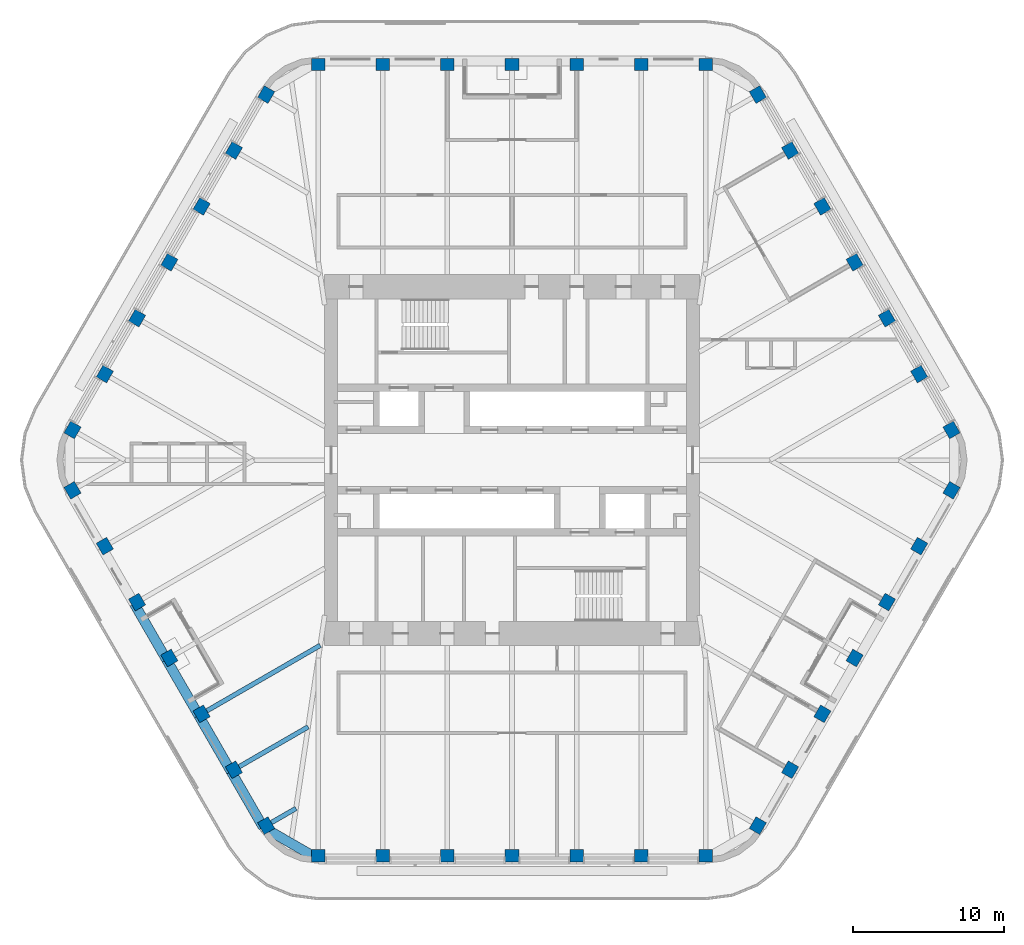
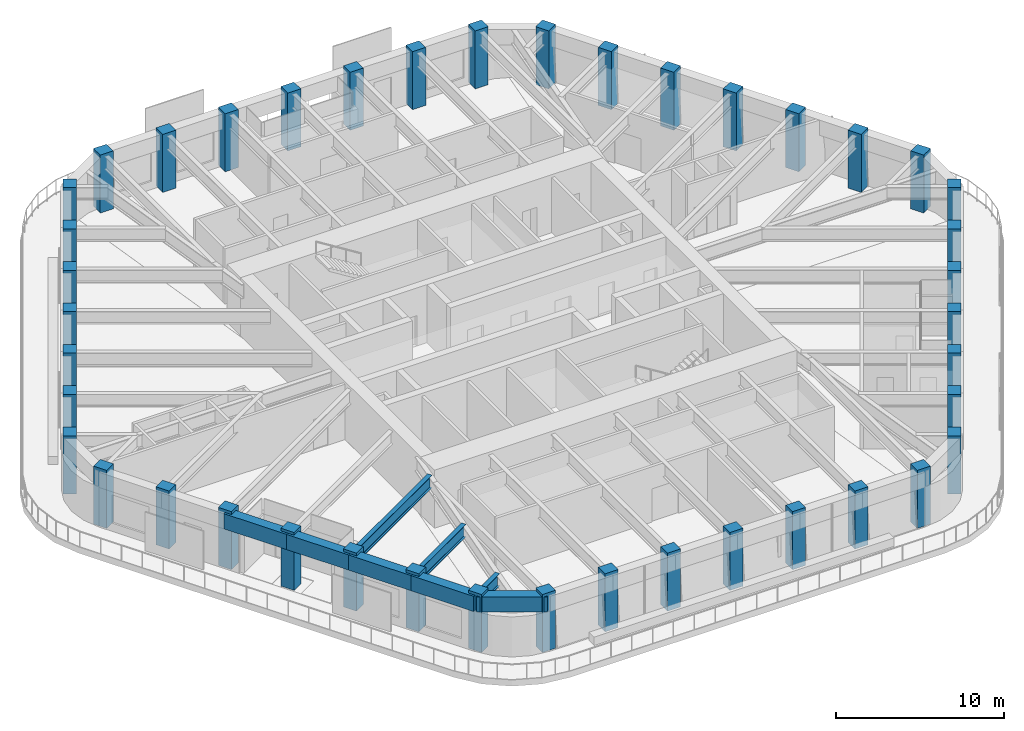
# One storey, part 1 of 19: 42 columns, 8 beams.
"""IFC4 building model written with IfcOpenShell, lengths in metres."""

import ifcopenshell
import ifcopenshell.guid

model = None  # the IFC model being written
_history = None  # IfcOwnerHistory: only IFC2X3 demands one
_inside = {}  # id of a spatial element -> (the spatial element, [elements in it])
_under = {}  # id of a project, library or spatial element -> (it, [spatial elements below it])
_declared = {}  # id of a project -> (the project, [libraries it declares])
_typed = {}  # id of a type object -> (the type object, [elements of that type])
_made_of = {}  # id of a material, layer set ... -> (it, [elements and type objects made of it])


def new_model(schema):
    """Start an empty IFC model of exactly this schema.

    Asked for "IFC4X3", IfcOpenShell would pick the latest addendum, in which some entities
    have other attributes; the version numbers below select the first issue.
    IFC2X3 requires an IfcOwnerHistory on every rooted entity: one is made here for all.
    """
    global model, _history
    if schema == "IFC4X3":
        model = ifcopenshell.file(schema_version=(4, 3, 0, 0))
    else:
        model = ifcopenshell.file(schema=schema)
    _inside.clear()
    _under.clear()
    _declared.clear()
    _typed.clear()
    _made_of.clear()
    _history = None
    if model.schema == "IFC2X3":
        org = make("IfcOrganization", Name="unknown")
        user = make(
            "IfcPersonAndOrganization",
            ThePerson=make("IfcPerson", FamilyName="unknown"),
            TheOrganization=org,
        )
        app = make(
            "IfcApplication",
            ApplicationDeveloper=org,
            Version="unknown",
            ApplicationFullName="unknown",
            ApplicationIdentifier="unknown",
        )
        _history = make(
            "IfcOwnerHistory",
            OwningUser=user,
            OwningApplication=app,
            ChangeAction="ADDED",
            CreationDate=0,
        )
    return model


def make(cls, **values):
    """One entity of the class cls with the attributes given. An attribute that is None is left unset."""
    return model.create_entity(
        cls, **{name: value for name, value in values.items() if value is not None}
    )


def rooted(cls, **values):
    """An entity with a GlobalId (a new one), such as an element, a storey or a relation."""
    return make(cls, GlobalId=ifcopenshell.guid.new(), OwnerHistory=_history, **values)


def si_unit(unit_type, name, prefix=None):
    """IfcSIUnit, for example si_unit("LENGTHUNIT", "METRE", prefix="MILLI")."""
    return make("IfcSIUnit", UnitType=unit_type, Prefix=prefix, Name=name)


def assignment(units):
    """IfcUnitAssignment: the units of a project."""
    return None if units is None else make("IfcUnitAssignment", Units=units)


def point(xyz):
    """IfcCartesianPoint."""
    return None if xyz is None else make("IfcCartesianPoint", Coordinates=xyz)


def direction(xyz):
    """IfcDirection."""
    return None if xyz is None else make("IfcDirection", DirectionRatios=xyz)


def frame(location, z_axis=None, x_axis=None):
    """IfcAxis2Placement3D, a coordinate frame: its origin and axes. An axis left out is left unset."""
    return make(
        "IfcAxis2Placement3D",
        Location=point(location),
        Axis=direction(z_axis),
        RefDirection=direction(x_axis),
    )


def frame_2d(location, x_axis=None):
    """IfcAxis2Placement2D, a coordinate frame in the plane: its origin and x axis."""
    return make(
        "IfcAxis2Placement2D", Location=point(location), RefDirection=direction(x_axis)
    )


def origin():
    """The frame at (0, 0, 0) with its axes left unset."""
    return frame((0.0, 0.0, 0.0))


def origin_2d():
    """The frame at (0, 0) in the plane with its x axis left unset."""
    return frame_2d((0.0, 0.0))


def place(relative_to, where):
    """IfcLocalPlacement: puts the frame where relative to a parent placement (None: the world)."""
    return make(
        "IfcLocalPlacement", PlacementRelTo=relative_to, RelativePlacement=where
    )


def context(
    kind, dimensions, precision=None, world=None, true_north=None, identifier=None
):
    """IfcGeometricRepresentationContext, for example the 3D "Model" context."""
    return make(
        "IfcGeometricRepresentationContext",
        ContextIdentifier=identifier,
        ContextType=kind,
        CoordinateSpaceDimension=dimensions,
        Precision=precision,
        WorldCoordinateSystem=world,
        TrueNorth=true_north,
    )


def subcontext(parent, identifier, kind, view, scale=None):
    """IfcGeometricRepresentationSubContext, for example "Body" below "Model"."""
    return make(
        "IfcGeometricRepresentationSubContext",
        ContextIdentifier=identifier,
        ContextType=kind,
        ParentContext=parent,
        TargetScale=scale,
        TargetView=view,
    )


def project(units=None, contexts=None):
    """IfcProject with its units and contexts."""
    return rooted(
        "IfcProject",
        Name="project",
        RepresentationContexts=contexts,
        UnitsInContext=assignment(units),
    )


def spatial(cls, under=None, at=None, **own):
    """A site, building, storey or space (cls), placed at a placement, below another one or the project."""
    s = rooted(cls, ObjectPlacement=at, **own)
    if under is not None:
        _under.setdefault(under.id(), (under, []))[1].append(s)
    return s


def profile(cls, at=None, kind="AREA", **sizes):
    """A parametric profile (cls). Its sizes go by their IFC names, for example OverallWidth=200.0."""
    return make(cls, ProfileType=kind, Position=at, **sizes)


def rectangle(**sizes):
    """IfcRectangleProfileDef."""
    return profile("IfcRectangleProfileDef", **sizes)


def i_section(**sizes):
    """IfcIShapeProfileDef."""
    return profile("IfcIShapeProfileDef", **sizes)


def extrude(swept, where, along, depth):
    """IfcExtrudedAreaSolid: the profile swept, set in the frame where, extruded along a direction by depth."""
    return make(
        "IfcExtrudedAreaSolid",
        SweptArea=swept,
        Position=where,
        ExtrudedDirection=direction(along),
        Depth=depth,
    )


def shape(context_of_items, identifier, shape_type, items):
    """IfcShapeRepresentation: the items that make up one representation, for example the "Body"."""
    return make(
        "IfcShapeRepresentation",
        ContextOfItems=context_of_items,
        RepresentationIdentifier=identifier,
        RepresentationType=shape_type,
        Items=items,
    )


def material(Name=None, Category=None):
    """IfcMaterial."""
    return make("IfcMaterial", Name=Name, Category=Category)


def material_profile(
    of_material, cross_section, Name=None, Category=None, Priority=None
):
    """IfcMaterialProfile: a cross section and its material."""
    return make(
        "IfcMaterialProfile",
        Name=Name,
        Material=of_material,
        Profile=cross_section,
        Priority=Priority,
        Category=Category,
    )


def profile_set(profiles, Name=None, composite=None):
    """IfcMaterialProfileSet."""
    return make(
        "IfcMaterialProfileSet",
        Name=Name,
        MaterialProfiles=profiles,
        CompositeProfile=composite,
    )


def made_of(thing, what):
    """Note that an element or type object is made of a material, layer set ...; save() writes the relation."""
    if what is not None:
        _made_of.setdefault(what.id(), (what, []))[1].append(thing)
    return thing


def type_object(cls, material=None, **own):
    """A type object (cls), such as IfcWallType, which elements share."""
    return made_of(rooted(cls, **own), material)


def element(
    cls,
    number,
    at=None,
    inside=None,
    cuts=None,
    type_object=None,
    material=None,
    context=None,
    identifier="Body",
    shape_type=None,
    held_by="IfcProductDefinitionShape",
    body=None,
    shapes=None,
    **own,
):
    """One element of the class cls, such as IfcWall. Its Tag is "e" and its number.

    at: its placement. inside: the storey or other place that contains it. cuts: it is an
    opening in that element (IfcRelVoidsElement). A single representation is given by context,
    identifier, shape_type and body (its items); several are given by shapes. held_by: the class
    of the entity that holds the representations. save() writes the other relations.
    """
    e = rooted(cls, Tag="e%d" % number, ObjectPlacement=at, **own)
    if body is not None:
        shapes = [shape(context, identifier, shape_type, body)]
    if shapes is not None:
        e.Representation = make(held_by, Representations=shapes)
    if inside is not None:
        _inside.setdefault(inside.id(), (inside, []))[1].append(e)
    if cuts is not None:
        rooted(
            "IfcRelVoidsElement", RelatingBuildingElement=cuts, RelatedOpeningElement=e
        )
    if type_object is not None:
        _typed.setdefault(type_object.id(), (type_object, []))[1].append(e)
    return made_of(e, material)


def aggregate(whole, parts):
    """IfcRelAggregates: a whole, such as a stair, and the parts it consists of."""
    return rooted("IfcRelAggregates", RelatingObject=whole, RelatedObjects=parts)


def save(model, path):
    """Write the relations noted so far, then the file.

    IfcRelAggregates (storeys below a building ...), IfcRelContainedInSpatialStructure (elements
    in a storey), IfcRelDefinesByType, IfcRelAssociatesMaterial and IfcRelDeclares: one each for
    every whole, place, type object, material and project.
    """
    for whole, parts in _under.values():
        aggregate(whole, parts)
    for where, things in _inside.values():
        rooted(
            "IfcRelContainedInSpatialStructure",
            RelatedElements=things,
            RelatingStructure=where,
        )
    for kind, things in _typed.values():
        rooted("IfcRelDefinesByType", RelatedObjects=things, RelatingType=kind)
    for what, things in _made_of.values():
        rooted("IfcRelAssociatesMaterial", RelatedObjects=things, RelatingMaterial=what)
    for by, libraries in _declared.values():
        rooted("IfcRelDeclares", RelatingContext=by, RelatedDefinitions=libraries)
    model.write(path)


model = new_model("IFC4")

# Units and contexts
model_context = context("Model", 3, precision=1e-05, world=origin(), true_north=direction((0.0, 1.0)))
body_context = subcontext(model_context, "Body", "Model", "MODEL_VIEW")
ifc_project = project(units=[si_unit("LENGTHUNIT", "METRE"), si_unit("AREAUNIT", "SQUARE_METRE"), si_unit("VOLUMEUNIT", "CUBIC_METRE"), si_unit("PLANEANGLEUNIT", "RADIAN"), si_unit("MASSUNIT", "GRAM", prefix="KILO")], contexts=[model_context])

# Site, building, storey
site_placement = place(None, origin())
site = spatial("IfcSite", under=ifc_project, at=site_placement, CompositionType="ELEMENT")
building_placement = place(site_placement, origin())
building = spatial("IfcBuilding", under=site, at=building_placement, Name="Tarfa Lantern Tower", CompositionType="ELEMENT")
storey_placement = place(building_placement, frame((0.0, 0.0, 361.89990234375)))
storey = spatial("IfcBuildingStorey", under=building, at=storey_placement, Name="L82", CompositionType="ELEMENT", Elevation=361.89990234375)

# Columns
ifc_material_1 = material(Name="Concrete C80/95", Category="concrete")
ifc_material_profile_1 = material_profile(ifc_material_1, rectangle(XDim=0.89990234375, YDim=0.800048828125, at=origin_2d()), Name="RC 900x800")
ifc_profile_set_1 = profile_set([ifc_material_profile_1], Name="Concrete C80/95")
column_type = type_object("IfcColumnType", Name="TC15 RC 900x800", PredefinedType="COLUMN", material=ifc_profile_set_1)
for number, where, z_axis, x_axis, name in (
    (1, (29.15625, 2.0, 0.0), (0.0, 0.0, 1.0), (-0.5, 0.866025403784, 0.0), "Tube column NE0"),
    (2, (27.01513671875, 5.708251953125, 0.0), (0.0, 0.0, 1.0), (-0.5, 0.866025403784, 0.0), "Tube column NE1"),
    (3, (24.874267578125, 9.416748046875, 0.0), (0.0, 0.0, 1.0), (-0.5, 0.866025403784, 0.0), "Tube column NE2"),
    (4, (22.733154296875, 13.125, 0.0), (0.0, 0.0, 1.0), (-0.5, 0.866025403784, 0.0), "Tube column NE3"),
    (5, (20.592041015625, 16.833251953125, 0.0), (0.0, 0.0, 1.0), (-0.5, 0.866025403784, 0.0), "Tube column NE4"),
    (6, (18.451171875, 20.541748046875, 0.0), (0.0, 0.0, 1.0), (-0.5, 0.866025403784, 0.0), "Tube column NE5"),
    (7, (16.31005859375, 24.25, 0.0), (0.0, 0.0, 1.0), (-0.5, 0.866025403784, 0.0), "Tube column NE6"),
    (8, (12.845947265625, 26.25, 0.0), (0.0, 0.0, 1.0), (-1.0, 0.0, 0.0), "Tube column N0"),
    (9, (8.56396484375, 26.25, 0.0), (0.0, 0.0, 1.0), (-1.0, 0.0, 0.0), "Tube column N1"),
    (10, (4.281982421875, 26.25, 0.0), (0.0, 0.0, 1.0), (-1.0, 0.0, 0.0), "Tube column N2"),
    (11, (0.0, 26.25, 0.0), (0.0, 0.0, 1.0), (-1.0, 0.0, 0.0), "Tube column N3"),
    (12, (-4.281982421875, 26.25, 0.0), (0.0, 0.0, 1.0), (-1.0, 0.0, 0.0), "Tube column N4"),
    (13, (-8.56396484375, 26.25, 0.0), (0.0, 0.0, 1.0), (-1.0, 0.0, 0.0), "Tube column N5"),
    (14, (-12.845947265625, 26.25, 0.0), (0.0, 0.0, 1.0), (-1.0, 0.0, 0.0), "Tube column N6"),
    (15, (-16.31005859375, 24.25, 0.0), (0.0, 0.0, 1.0), (-0.5, -0.866025403784, 0.0), "Tube column NW0"),
    (16, (-18.451171875, 20.541748046875, 0.0), (0.0, 0.0, 1.0), (-0.5, -0.866025403784, 0.0), "Tube column NW1"),
    (17, (-20.592041015625, 16.833251953125, 0.0), (0.0, 0.0, 1.0), (-0.5, -0.866025403784, 0.0), "Tube column NW2"),
    (18, (-22.733154296875, 13.125, 0.0), (0.0, 0.0, 1.0), (-0.5, -0.866025403784, 0.0), "Tube column NW3"),
    (19, (-24.874267578125, 9.416748046875, 0.0), (0.0, 0.0, 1.0), (-0.5, -0.866025403784, 0.0), "Tube column NW4"),
    (20, (-27.01513671875, 5.708251953125, 0.0), (0.0, 0.0, 1.0), (-0.5, -0.866025403784, 0.0), "Tube column NW5"),
    (21, (-29.15625, 2.0, 0.0), (0.0, 0.0, 1.0), (-0.5, -0.866025403784, 0.0), "Tube column NW6"),
    (22, (-29.15625, -2.0, 0.0), (0.0, 0.0, 1.0), (0.5, -0.866025403784, 0.0), "Tube column SW0"),
    (23, (-27.01513671875, -5.708251953125, 0.0), (0.0, 0.0, 1.0), (0.5, -0.866025403784, 0.0), "Tube column SW1"),
    (24, (-24.874267578125, -9.416748046875, 0.0), (0.0, 0.0, 1.0), (0.5, -0.866025403784, 0.0), "Tube column SW2"),
    (25, (-22.733154296875, -13.125, 0.0), (0.0, 0.0, 1.0), (0.5, -0.866025403784, 0.0), "Tube column SW3"),
    (26, (-20.592041015625, -16.833251953125, 0.0), (0.0, 0.0, 1.0), (0.5, -0.866025403784, 0.0), "Tube column SW4"),
    (27, (-18.451171875, -20.541748046875, 0.0), (0.0, 0.0, 1.0), (0.5, -0.866025403784, 0.0), "Tube column SW5"),
    (28, (-16.31005859375, -24.25, 0.0), (0.0, 0.0, 1.0), (0.5, -0.866025403784, 0.0), "Tube column SW6"),
    (29, (-12.845947265625, -26.25, 0.0), (0.0, 0.0, 1.0), (1.0, 0.0, 0.0), "Tube column S0"),
    (30, (-8.56396484375, -26.25, 0.0), (0.0, 0.0, 1.0), (1.0, 0.0, 0.0), "Tube column S1"),
    (31, (-4.281982421875, -26.25, 0.0), (0.0, 0.0, 1.0), (1.0, 0.0, 0.0), "Tube column S2"),
    (32, (0.0, -26.25, 0.0), (0.0, 0.0, 1.0), (1.0, 0.0, 0.0), "Tube column S3"),
    (33, (4.281982421875, -26.25, 0.0), (0.0, 0.0, 1.0), (1.0, 0.0, 0.0), "Tube column S4"),
    (34, (8.56396484375, -26.25, 0.0), (0.0, 0.0, 1.0), (1.0, 0.0, 0.0), "Tube column S5"),
    (35, (12.845947265625, -26.25, 0.0), (0.0, 0.0, 1.0), (1.0, 0.0, 0.0), "Tube column S6"),
    (36, (16.31005859375, -24.25, 0.0), (0.0, 0.0, 1.0), (0.5, 0.866025403784, 0.0), "Tube column SE0"),
    (37, (18.451171875, -20.541748046875, 0.0), (0.0, 0.0, 1.0), (0.5, 0.866025403784, 0.0), "Tube column SE1"),
    (38, (20.592041015625, -16.833251953125, 0.0), (0.0, 0.0, 1.0), (0.5, 0.866025403784, 0.0), "Tube column SE2"),
    (39, (22.733154296875, -13.125, 0.0), (0.0, 0.0, 1.0), (0.5, 0.866025403784, 0.0), "Tube column SE3"),
    (40, (24.874267578125, -9.416748046875, 0.0), (0.0, 0.0, 1.0), (0.5, 0.866025403784, 0.0), "Tube column SE4"),
    (41, (27.01513671875, -5.708251953125, 0.0), (0.0, 0.0, 1.0), (0.5, 0.866025403784, 0.0), "Tube column SE5"),
    (42, (29.15625, -2.0, 0.0), (0.0, 0.0, 1.0), (0.5, 0.866025403784, 0.0), "Tube column SE6"),
):
    element("IfcColumn", number, at=place(storey_placement, frame(where, z_axis=z_axis, x_axis=x_axis)), inside=storey, type_object=column_type, Name=name, PredefinedType="COLUMN", context=body_context, shape_type="SweptSolid", body=[
        extrude(rectangle(XDim=0.89990234375, YDim=0.800048828125, at=origin_2d()), origin(), (0.0, 0.0, 1.0), 4.2001953125),
    ])

# Beams
ifc_material_profile_2 = material_profile(ifc_material_1, rectangle(XDim=0.64990234375, YDim=1.10009765625, at=origin_2d()), Name="RC 650x1100")
ifc_profile_set_2 = profile_set([ifc_material_profile_2], Name="Concrete C80/95")
beam_type_1 = type_object("IfcBeamType", Name="EB4 RC 650x1100", PredefinedType="SPANDREL", material=ifc_profile_set_2)
beam_1_placement = place(storey_placement, frame((-25.064697265625, -9.526611328125, 3.4501953125), z_axis=(0.500002112793, -0.866024183959, 0.0), x_axis=(0.866024183959, 0.500002112793, 0.0)))
element("IfcBeam", 43, at=beam_1_placement, inside=storey, type_object=beam_type_1, Name="Edge beam SW2", PredefinedType="SPANDREL", context=body_context, shape_type="SweptSolid", body=[
    extrude(rectangle(XDim=0.64990234375, YDim=1.10009765625, at=origin_2d()), origin(), (0.0, 0.0, 1.0), 4.2822265625),
])
for number, where, z_axis, x_axis, name in (
    (44, (-22.923583984375, -13.235107421875, 3.4501953125), (0.499984039138, -0.866034618596, 0.0), (0.866034618596, 0.499984039138, 0.0), "Edge beam SW3"),
    (45, (-20.78271484375, -16.943359375, 3.4501953125), (0.500026801138, -0.866009929587, 0.0), (0.866009929587, 0.500026801138, 0.0), "Edge beam SW4"),
    (46, (-18.6416015625, -20.651611328125, 3.4501953125), (0.499959351497, -0.866048870937, 0.0), (0.866048870937, 0.499959351497, 0.0), "Edge beam SW5"),
):
    element("IfcBeam", number, at=place(storey_placement, frame(where, z_axis=z_axis, x_axis=x_axis)), inside=storey, type_object=beam_type_1, Name=name, PredefinedType="SPANDREL", context=body_context, shape_type="SweptSolid", body=[
        extrude(rectangle(XDim=0.64990234375, YDim=1.10009765625, at=origin_2d()), origin(), (0.0, 0.0, 1.0), 4.281982421875),
    ])
beam_2_placement = place(storey_placement, frame((-16.500732421875, -24.360107421875, 3.4501953125), z_axis=(0.866048788483, -0.499959494327, 0.0), x_axis=(0.499959494327, 0.866048788483, 0.0)))
element("IfcBeam", 47, at=beam_2_placement, inside=storey, type_object=beam_type_1, Name="Edge beam SW6", PredefinedType="SPANDREL", context=body_context, shape_type="SweptSolid", body=[
    extrude(rectangle(XDim=0.64990234375, YDim=1.10009765625, at=origin_2d()), origin(), (0.0, 0.0, 1.0), 4.219970703125),
])
ifc_material_2 = material(Name="Steel S460M", Category="steel")
ifc_material_profile_3 = material_profile(ifc_material_2, i_section(OverallWidth=0.305419921875, OverallDepth=0.91845703125, WebThickness=0.017333984375, FlangeThickness=0.02783203125, FilletRadius=0.01904296875, at=origin_2d()), Name="UB914x305x253")
ifc_profile_set_3 = profile_set([ifc_material_profile_3], Name="Steel S460M")
beam_type_2 = type_object("IfcBeamType", Name="UB914x305x253", PredefinedType="BEAM", material=ifc_profile_set_3)
beam_3_placement = place(storey_placement, frame((-20.78271484375, -16.943359375, 3.541015625), z_axis=(0.866021806508, 0.500006230613, 0.0), x_axis=(-0.500006230613, 0.866021806508, 0.0)))
element("IfcBeam", 48, at=beam_3_placement, inside=storey, type_object=beam_type_2, Name="Floor beam SW4", PredefinedType="BEAM", context=body_context, shape_type="SweptSolid", body=[
    extrude(i_section(OverallWidth=0.305419921875, OverallDepth=0.91845703125, WebThickness=0.017333984375, FlangeThickness=0.02783203125, FilletRadius=0.01904296875, at=origin_2d()), origin(), (0.0, 0.0, 1.0), 9.30908203125),
])
beam_4_placement = place(storey_placement, frame((-18.6416015625, -20.651611328125, 3.541015625), z_axis=(0.866024549157, 0.500001480256, 0.0), x_axis=(-0.500001480256, 0.866024549157, 0.0)))
element("IfcBeam", 49, at=beam_4_placement, inside=storey, type_object=beam_type_2, Name="Floor beam SW5", PredefinedType="BEAM", context=body_context, shape_type="SweptSolid", body=[
    extrude(i_section(OverallWidth=0.305419921875, OverallDepth=0.91845703125, WebThickness=0.017333984375, FlangeThickness=0.02783203125, FilletRadius=0.01904296875, at=origin_2d()), origin(), (0.0, 0.0, 1.0), 5.90771484375),
])
beam_5_placement = place(storey_placement, frame((-16.500732421875, -24.360107421875, 3.541015625), z_axis=(0.865992557167, 0.500056887695, 0.0), x_axis=(-0.500056887695, 0.865992557167, 0.0)))
element("IfcBeam", 50, at=beam_5_placement, inside=storey, type_object=beam_type_2, Name="Floor beam SW6", PredefinedType="BEAM", context=body_context, shape_type="SweptSolid", body=[
    extrude(i_section(OverallWidth=0.305419921875, OverallDepth=0.91845703125, WebThickness=0.017333984375, FlangeThickness=0.02783203125, FilletRadius=0.01904296875, at=origin_2d()), origin(), (0.0, 0.0, 1.0), 2.506591796875),
])

save(model, "model.ifc")
